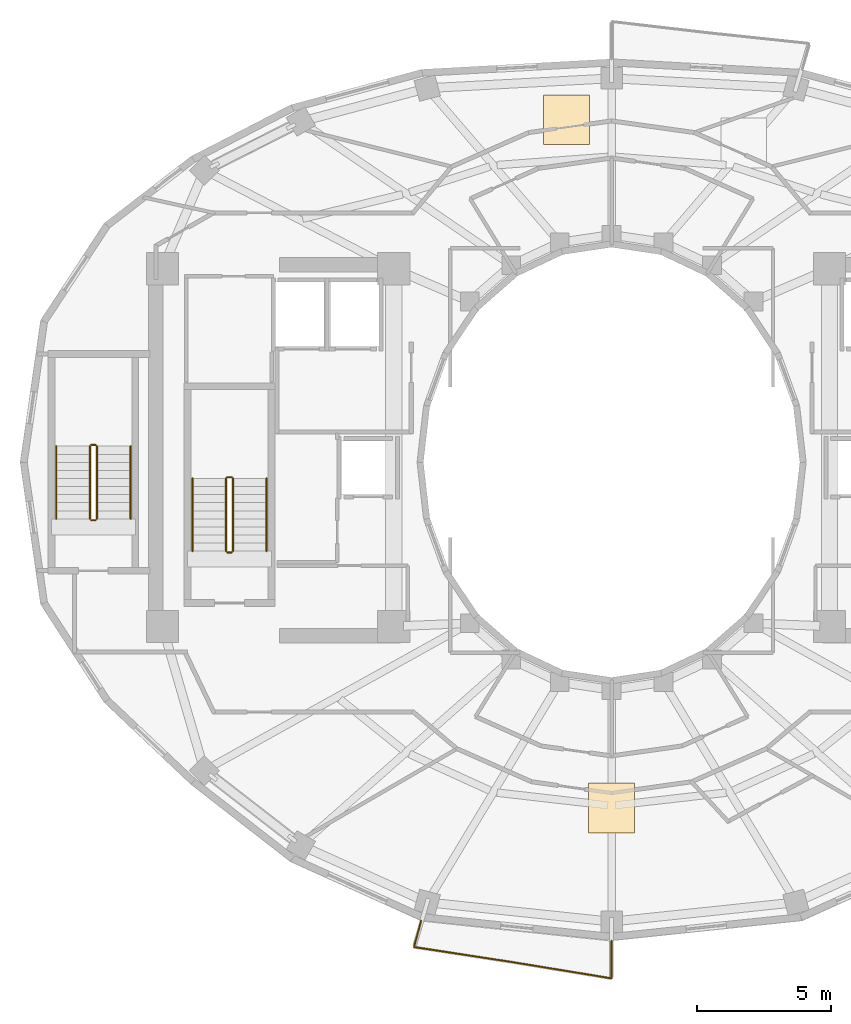
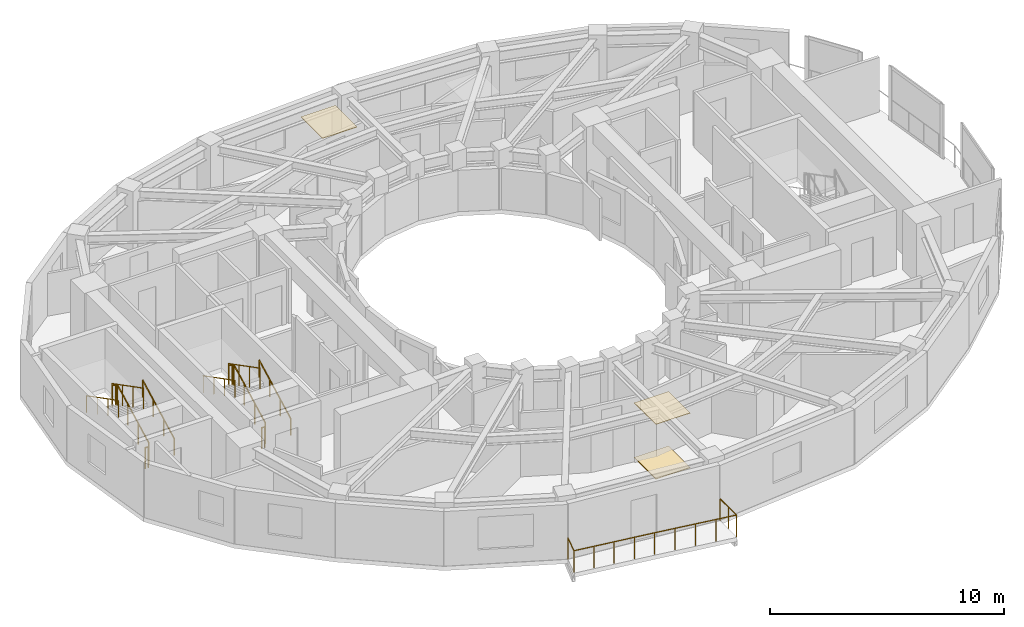
# One storey, part 11 of 12: 13 railings, 3 coverings.
"""IFC4 building model written with IfcOpenShell, lengths in metres."""

from ifc_helpers import new_model, si_unit, direction, frame, origin, origin_2d, place, context, subcontext, project, spatial, polyline, circle, outline, extrude, material, layer, layer_set, type_object, element, save


model = new_model("IFC4")

# Units and contexts
model_context = context("Model", 3, precision=1e-05, world=origin(), true_north=direction((0.0, 1.0)))
body_context = subcontext(model_context, "Body", "Model", "MODEL_VIEW")
ifc_project = project(units=[si_unit("LENGTHUNIT", "METRE"), si_unit("AREAUNIT", "SQUARE_METRE"), si_unit("VOLUMEUNIT", "CUBIC_METRE"), si_unit("PLANEANGLEUNIT", "RADIAN"), si_unit("MASSUNIT", "GRAM", prefix="KILO")], contexts=[model_context])

# Site, building, storey
site_placement = place(None, origin())
site = spatial("IfcSite", under=ifc_project, at=site_placement, CompositionType="ELEMENT")
building_placement = place(site_placement, origin())
building = spatial("IfcBuilding", under=site, at=building_placement, Name="Solvane Sanctuary Tower", CompositionType="ELEMENT")
storey_placement = place(building_placement, frame((0.0, 0.0, 214.0)))
storey = spatial("IfcBuildingStorey", under=building, at=storey_placement, Name="L65", CompositionType="ELEMENT", Elevation=214.0)

# Coverings
ifc_material_1 = material(Name="Acoustic Gypsum Partition Board")
ifc_layer_1 = layer(ifc_material_1, 0.02490234375, Name="Acoustic Gypsum Partition Board")
ifc_layer_set_1 = layer_set([ifc_layer_1], Name="Acoustic Gypsum Partition Board")
covering_type_1 = type_object("IfcCoveringType", Name="Covering CLG-ACOUST", PredefinedType="CEILING", material=ifc_layer_set_1)
covering_1_placement = place(storey_placement, frame((0.0, 0.0, 2.85009765625)))
element("IfcCovering", 1, at=covering_1_placement, inside=storey, type_object=covering_type_1, Name="L65 Unit Acoustic Ceiling Panel 2", PredefinedType="CEILING", context=body_context, shape_type="SweptSolid", body=[
    extrude(outline(polyline([(29.472900390625, 34.81494140625), (31.173095703125, 34.81494140625), (31.173095703125, 36.6650390625), (29.472900390625, 36.6650390625), (29.472900390625, 34.81494140625)])), origin(), (0.0, 0.0, 1.0), 0.02978515625),
])
covering_2_placement = place(storey_placement, frame((0.0, 0.0, 2.85009765625)))
element("IfcCovering", 2, at=covering_2_placement, inside=storey, type_object=covering_type_1, Name="L65 Unit Acoustic Ceiling Panel 3", PredefinedType="CEILING", context=body_context, shape_type="SweptSolid", body=[
    extrude(outline(polyline([(31.14990234375, 9.22509765625), (32.85009765625, 9.22509765625), (32.85009765625, 11.074951171875), (31.14990234375, 11.074951171875), (31.14990234375, 9.22509765625)])), origin(), (0.0, 0.0, 1.0), 0.02978515625),
])
ifc_material_2 = material(Name="Ceramic Tile Finish")
ifc_layer_2 = layer(ifc_material_2, 0.030029296875, Name="Ceramic Tile Finish")
ifc_layer_set_2 = layer_set([ifc_layer_2], Name="Ceramic Tile Finish")
covering_type_2 = type_object("IfcCoveringType", Name="Covering FLR-TERRAZZO", PredefinedType="FLOORING", material=ifc_layer_set_2)
covering_3_placement = place(storey_placement, origin())
element("IfcCovering", 3, at=covering_3_placement, inside=storey, type_object=covering_type_2, Name="L65 Unit Terrazzo Inlay 3", PredefinedType="FLOORING", context=body_context, shape_type="SweptSolid", body=[
    extrude(outline(polyline([(31.14990234375, 9.22509765625), (32.85009765625, 9.22509765625), (32.85009765625, 11.074951171875), (31.14990234375, 11.074951171875), (31.14990234375, 9.22509765625)])), origin(), (0.0, 0.0, 1.0), 0.034912109375),
])

# Railings
ifc_material_3 = material(Name="Architectural Stainless Steel 316", Category="steel")
railing_type_1 = type_object("IfcRailingType", Name="Railing GR-BALC-1150", PredefinedType="BALUSTRADE", material=ifc_material_3)
railing_1_placement = place(storey_placement, frame((24.911865234375, 5.942626953125, 0.0)))
element("IfcRailing", 4, at=railing_1_placement, inside=storey, type_object=railing_type_1, Name="L65 Wave Balcony Balustrade SC", PredefinedType="BALUSTRADE", context=body_context, shape_type="SweptSolid", body=[
    extrude(circle(Radius=0.02392578125, at=origin_2d()), frame((0.0, 0.0, 1.1259765625), z_axis=(-0.258695421716, -0.965958942597, 0.0), x_axis=(0.965958942597, -0.258695421716, 0.0)), (0.0, 0.0, 1.0), 1.000244140625),
    extrude(circle(Radius=0.02392578125, at=origin_2d()), frame((-0.2587890625, -0.96630859375, 1.1259765625), z_axis=(0.988437321797, -0.15163001312, 0.0), x_axis=(0.15163001312, 0.988437321797, 0.0)), (0.0, 0.0, 1.0), 3.693603515625),
    extrude(circle(Radius=0.02392578125, at=origin_2d()), frame((3.39208984375, -1.5263671875, 1.1259765625), z_axis=(0.986815208881, -0.16185099172, 0.0), x_axis=(0.16185099172, 0.986815208881, 0.0)), (0.0, 0.0, 1.0), 3.745361328125),
    extrude(circle(Radius=0.02392578125, at=origin_2d()), frame((7.088134765625, -2.132568359375, 1.1259765625), z_axis=(0.0, 1.0, 0.0), x_axis=(-1.0, 0.0, 0.0)), (0.0, 0.0, 1.0), 1.389892578125),
    extrude(circle(Radius=0.02099609375, at=origin_2d()), origin(), (0.0, 0.0, 1.0), 1.101806640625),
    extrude(circle(Radius=0.02099609375, at=origin_2d()), frame((-0.2587890625, -0.96630859375, 0.0)), (0.0, 0.0, 1.0), 1.101806640625),
    extrude(circle(Radius=0.02099609375, at=origin_2d()), frame((0.65380859375, -1.1064453125, 0.0)), (0.0, 0.0, 1.0), 1.101806640625),
    extrude(circle(Radius=0.02099609375, at=origin_2d()), frame((1.566650390625, -1.246337890625, 0.0)), (0.0, 0.0, 1.0), 1.101806640625),
    extrude(circle(Radius=0.02099609375, at=origin_2d()), frame((2.4794921875, -1.38623046875, 0.0)), (0.0, 0.0, 1.0), 1.101806640625),
    extrude(circle(Radius=0.02099609375, at=origin_2d()), frame((3.39208984375, -1.5263671875, 0.0)), (0.0, 0.0, 1.0), 1.101806640625),
    extrude(circle(Radius=0.02099609375, at=origin_2d()), frame((4.316162109375, -1.677978515625, 0.0)), (0.0, 0.0, 1.0), 1.101806640625),
    extrude(circle(Radius=0.02099609375, at=origin_2d()), frame((5.240234375, -1.82958984375, 0.0)), (0.0, 0.0, 1.0), 1.101806640625),
    extrude(circle(Radius=0.02099609375, at=origin_2d()), frame((6.1640625, -1.98095703125, 0.0)), (0.0, 0.0, 1.0), 1.101806640625),
    extrude(circle(Radius=0.02099609375, at=origin_2d()), frame((7.088134765625, -2.132568359375, 0.0)), (0.0, 0.0, 1.0), 1.101806640625),
    extrude(circle(Radius=0.02099609375, at=origin_2d()), frame((7.088134765625, -1.4375, 0.0)), (0.0, 0.0, 1.0), 1.101806640625),
    extrude(circle(Radius=0.02099609375, at=origin_2d()), frame((7.088134765625, -0.74267578125, 0.0)), (0.0, 0.0, 1.0), 1.101806640625),
])
railing_2_placement = place(storey_placement, frame((17.919921875, 19.699951171875, 0.155029296875)))
element("IfcRailing", 5, at=railing_2_placement, inside=storey, type_object=railing_type_1, Name="L65 ST-1 stair guard 1", PredefinedType="BALUSTRADE", context=body_context, shape_type="SweptSolid", body=[
    extrude(circle(Radius=0.02392578125, at=origin_2d()), frame((0.0, 0.0, 1.076171875), z_axis=(0.0, 0.888419900624, 0.459031676658), x_axis=(-1.0, 0.0, 0.0)), (0.0, 0.0, 1.0), 3.0390625),
    extrude(circle(Radius=0.02099609375, at=origin_2d()), origin(), (0.0, 0.0, 1.0), 1.052001953125),
    extrude(circle(Radius=0.02099609375, at=origin_2d()), frame((0.0, 0.89990234375, 0.465087890625)), (0.0, 0.0, 1.0), 1.052001953125),
    extrude(circle(Radius=0.02099609375, at=origin_2d()), frame((0.0, 1.800048828125, 0.929931640625)), (0.0, 0.0, 1.0), 1.052001953125),
    extrude(circle(Radius=0.02099609375, at=origin_2d()), frame((0.0, 2.699951171875, 1.39501953125)), (0.0, 0.0, 1.0), 1.052001953125),
])
railing_3_placement = place(storey_placement, frame((17.8701171875, 22.449951171875, 1.550048828125)))
element("IfcRailing", 6, at=railing_3_placement, inside=storey, type_object=railing_type_1, Name="L65 ST-1 stair guard 2", PredefinedType="BALUSTRADE", context=body_context, shape_type="SweptSolid", body=[
    extrude(circle(Radius=0.02392578125, at=origin_2d()), frame((0.0, 0.0, 1.076171875), z_axis=(-1.0, 0.0, 0.0), x_axis=(0.0, -1.0, 0.0)), (0.0, 0.0, 1.0), 0.16015625),
    extrude(circle(Radius=0.02099609375, at=origin_2d()), origin(), (0.0, 0.0, 1.0), 1.052001953125),
    extrude(circle(Radius=0.02099609375, at=origin_2d()), frame((-0.16015625, 0.0, 0.0)), (0.0, 0.0, 1.0), 1.052001953125),
])
railing_4_placement = place(storey_placement, frame((17.659912109375, 22.39990234375, 1.705078125)))
element("IfcRailing", 7, at=railing_4_placement, inside=storey, type_object=railing_type_1, Name="L65 ST-1 stair guard 3", PredefinedType="BALUSTRADE", context=body_context, shape_type="SweptSolid", body=[
    extrude(circle(Radius=0.02392578125, at=origin_2d()), frame((0.0, 0.0, 1.076171875), z_axis=(0.0, -0.888419900624, 0.459031676658), x_axis=(1.0, 0.0, 0.0)), (0.0, 0.0, 1.0), 3.0390625),
    extrude(circle(Radius=0.02099609375, at=origin_2d()), origin(), (0.0, 0.0, 1.0), 1.052001953125),
    extrude(circle(Radius=0.02099609375, at=origin_2d()), frame((0.0, -0.89990234375, 0.465087890625)), (0.0, 0.0, 1.0), 1.052001953125),
    extrude(circle(Radius=0.02099609375, at=origin_2d()), frame((0.0, -1.800048828125, 0.929931640625)), (0.0, 0.0, 1.0), 1.052001953125),
    extrude(circle(Radius=0.02099609375, at=origin_2d()), frame((0.0, -2.699951171875, 1.39501953125)), (0.0, 0.0, 1.0), 1.052001953125),
])
railing_5_placement = place(storey_placement, frame((17.8701171875, 19.64990234375, 0.0)))
element("IfcRailing", 8, at=railing_5_placement, inside=storey, type_object=railing_type_1, Name="L65 ST-1 stair guard 4", PredefinedType="BALUSTRADE", context=body_context, shape_type="SweptSolid", body=[
    extrude(circle(Radius=0.02392578125, at=origin_2d()), frame((0.0, 0.0, 1.076171875), z_axis=(-1.0, 0.0, 0.0), x_axis=(0.0, -1.0, 0.0)), (0.0, 0.0, 1.0), 0.16015625),
    extrude(circle(Radius=0.02099609375, at=origin_2d()), origin(), (0.0, 0.0, 1.0), 1.052001953125),
    extrude(circle(Radius=0.02099609375, at=origin_2d()), frame((-0.16015625, 0.0, 0.0)), (0.0, 0.0, 1.0), 1.052001953125),
])
railing_6_placement = place(storey_placement, frame((12.860107421875, 20.89990234375, 0.155029296875)))
element("IfcRailing", 9, at=railing_6_placement, inside=storey, type_object=railing_type_1, Name="L65 ST-3 stair guard 1", PredefinedType="BALUSTRADE", context=body_context, shape_type="SweptSolid", body=[
    extrude(circle(Radius=0.02392578125, at=origin_2d()), frame((0.0, 0.0, 1.076171875), z_axis=(0.0, 0.888436826113, 0.458998917216), x_axis=(-1.0, 0.0, 0.0)), (0.0, 0.0, 1.0), 3.039306640625),
    extrude(circle(Radius=0.02099609375, at=origin_2d()), origin(), (0.0, 0.0, 1.0), 1.052001953125),
    extrude(circle(Radius=0.02099609375, at=origin_2d()), frame((0.0, 0.900146484375, 0.465087890625)), (0.0, 0.0, 1.0), 1.052001953125),
    extrude(circle(Radius=0.02099609375, at=origin_2d()), frame((0.0, 1.800048828125, 0.929931640625)), (0.0, 0.0, 1.0), 1.052001953125),
    extrude(circle(Radius=0.02099609375, at=origin_2d()), frame((0.0, 2.7001953125, 1.39501953125)), (0.0, 0.0, 1.0), 1.052001953125),
])
railing_7_placement = place(storey_placement, frame((12.81005859375, 23.64990234375, 1.550048828125)))
element("IfcRailing", 10, at=railing_7_placement, inside=storey, type_object=railing_type_1, Name="L65 ST-3 stair guard 2", PredefinedType="BALUSTRADE", context=body_context, shape_type="SweptSolid", body=[
    extrude(circle(Radius=0.02392578125, at=origin_2d()), frame((0.0, 0.0, 1.076171875), z_axis=(-1.0, 0.0, 0.0), x_axis=(0.0, -1.0, 0.0)), (0.0, 0.0, 1.0), 0.16015625),
    extrude(circle(Radius=0.02099609375, at=origin_2d()), origin(), (0.0, 0.0, 1.0), 1.052001953125),
    extrude(circle(Radius=0.02099609375, at=origin_2d()), frame((-0.16015625, 0.0, 0.0)), (0.0, 0.0, 1.0), 1.052001953125),
])
railing_8_placement = place(storey_placement, frame((12.60009765625, 23.60009765625, 1.705078125)))
element("IfcRailing", 11, at=railing_8_placement, inside=storey, type_object=railing_type_1, Name="L65 ST-3 stair guard 3", PredefinedType="BALUSTRADE", context=body_context, shape_type="SweptSolid", body=[
    extrude(circle(Radius=0.02392578125, at=origin_2d()), frame((0.0, 0.0, 1.076171875), z_axis=(0.0, -0.888436826113, 0.458998917216), x_axis=(1.0, 0.0, 0.0)), (0.0, 0.0, 1.0), 3.039306640625),
    extrude(circle(Radius=0.02099609375, at=origin_2d()), origin(), (0.0, 0.0, 1.0), 1.052001953125),
    extrude(circle(Radius=0.02099609375, at=origin_2d()), frame((0.0, -0.900146484375, 0.465087890625)), (0.0, 0.0, 1.0), 1.052001953125),
    extrude(circle(Radius=0.02099609375, at=origin_2d()), frame((0.0, -1.800048828125, 0.929931640625)), (0.0, 0.0, 1.0), 1.052001953125),
    extrude(circle(Radius=0.02099609375, at=origin_2d()), frame((0.0, -2.7001953125, 1.39501953125)), (0.0, 0.0, 1.0), 1.052001953125),
])
railing_9_placement = place(storey_placement, frame((12.81005859375, 20.85009765625, 0.0)))
element("IfcRailing", 12, at=railing_9_placement, inside=storey, type_object=railing_type_1, Name="L65 ST-3 stair guard 4", PredefinedType="BALUSTRADE", context=body_context, shape_type="SweptSolid", body=[
    extrude(circle(Radius=0.02392578125, at=origin_2d()), frame((0.0, 0.0, 1.076171875), z_axis=(-1.0, 0.0, 0.0), x_axis=(0.0, -1.0, 0.0)), (0.0, 0.0, 1.0), 0.16015625),
    extrude(circle(Radius=0.02099609375, at=origin_2d()), origin(), (0.0, 0.0, 1.0), 1.052001953125),
    extrude(circle(Radius=0.02099609375, at=origin_2d()), frame((-0.16015625, 0.0, 0.0)), (0.0, 0.0, 1.0), 1.052001953125),
])
railing_type_2 = type_object("IfcRailingType", Name="Railing HR-STAIR-920", PredefinedType="HANDRAIL", material=ifc_material_3)
railing_10_placement = place(storey_placement, frame((19.169921875, 19.699951171875, 0.155029296875)))
element("IfcRailing", 13, at=railing_10_placement, inside=storey, type_object=railing_type_2, Name="L65 ST-1 stair handrail 1", PredefinedType="HANDRAIL", context=body_context, shape_type="SweptSolid", body=[
    extrude(circle(Radius=0.02392578125, at=origin_2d()), frame((0.0, 0.0, 0.8759765625), z_axis=(0.0, 0.888419900624, 0.459031676658), x_axis=(-1.0, 0.0, 0.0)), (0.0, 0.0, 1.0), 3.0390625),
    extrude(circle(Radius=0.02099609375, at=origin_2d()), origin(), (0.0, 0.0, 1.0), 0.851806640625),
    extrude(circle(Radius=0.02099609375, at=origin_2d()), frame((0.0, 0.89990234375, 0.465087890625)), (0.0, 0.0, 1.0), 0.851806640625),
    extrude(circle(Radius=0.02099609375, at=origin_2d()), frame((0.0, 1.800048828125, 0.929931640625)), (0.0, 0.0, 1.0), 0.851806640625),
    extrude(circle(Radius=0.02099609375, at=origin_2d()), frame((0.0, 2.699951171875, 1.39501953125)), (0.0, 0.0, 1.0), 0.851806640625),
])
railing_11_placement = place(storey_placement, frame((16.409912109375, 22.39990234375, 1.705078125)))
element("IfcRailing", 14, at=railing_11_placement, inside=storey, type_object=railing_type_2, Name="L65 ST-1 stair handrail 2", PredefinedType="HANDRAIL", context=body_context, shape_type="SweptSolid", body=[
    extrude(circle(Radius=0.02392578125, at=origin_2d()), frame((0.0, 0.0, 0.8759765625), z_axis=(0.0, -0.888419900624, 0.459031676658), x_axis=(1.0, 0.0, 0.0)), (0.0, 0.0, 1.0), 3.0390625),
    extrude(circle(Radius=0.02099609375, at=origin_2d()), origin(), (0.0, 0.0, 1.0), 0.851806640625),
    extrude(circle(Radius=0.02099609375, at=origin_2d()), frame((0.0, -0.89990234375, 0.465087890625)), (0.0, 0.0, 1.0), 0.851806640625),
    extrude(circle(Radius=0.02099609375, at=origin_2d()), frame((0.0, -1.800048828125, 0.929931640625)), (0.0, 0.0, 1.0), 0.851806640625),
    extrude(circle(Radius=0.02099609375, at=origin_2d()), frame((0.0, -2.699951171875, 1.39501953125)), (0.0, 0.0, 1.0), 0.851806640625),
])
railing_12_placement = place(storey_placement, frame((14.110107421875, 20.89990234375, 0.155029296875)))
element("IfcRailing", 15, at=railing_12_placement, inside=storey, type_object=railing_type_2, Name="L65 ST-3 stair handrail 1", PredefinedType="HANDRAIL", context=body_context, shape_type="SweptSolid", body=[
    extrude(circle(Radius=0.02392578125, at=origin_2d()), frame((0.0, 0.0, 0.8759765625), z_axis=(0.0, 0.888436826113, 0.458998917216), x_axis=(-1.0, 0.0, 0.0)), (0.0, 0.0, 1.0), 3.039306640625),
    extrude(circle(Radius=0.02099609375, at=origin_2d()), origin(), (0.0, 0.0, 1.0), 0.851806640625),
    extrude(circle(Radius=0.02099609375, at=origin_2d()), frame((0.0, 0.900146484375, 0.465087890625)), (0.0, 0.0, 1.0), 0.851806640625),
    extrude(circle(Radius=0.02099609375, at=origin_2d()), frame((0.0, 1.800048828125, 0.929931640625)), (0.0, 0.0, 1.0), 0.851806640625),
    extrude(circle(Radius=0.02099609375, at=origin_2d()), frame((0.0, 2.7001953125, 1.39501953125)), (0.0, 0.0, 1.0), 0.851806640625),
])
railing_13_placement = place(storey_placement, frame((11.35009765625, 23.60009765625, 1.705078125)))
element("IfcRailing", 16, at=railing_13_placement, inside=storey, type_object=railing_type_2, Name="L65 ST-3 stair handrail 2", PredefinedType="HANDRAIL", context=body_context, shape_type="SweptSolid", body=[
    extrude(circle(Radius=0.02392578125, at=origin_2d()), frame((0.0, 0.0, 0.8759765625), z_axis=(0.0, -0.888436826113, 0.458998917216), x_axis=(1.0, 0.0, 0.0)), (0.0, 0.0, 1.0), 3.039306640625),
    extrude(circle(Radius=0.02099609375, at=origin_2d()), origin(), (0.0, 0.0, 1.0), 0.851806640625),
    extrude(circle(Radius=0.02099609375, at=origin_2d()), frame((0.0, -0.900146484375, 0.465087890625)), (0.0, 0.0, 1.0), 0.851806640625),
    extrude(circle(Radius=0.02099609375, at=origin_2d()), frame((0.0, -1.800048828125, 0.929931640625)), (0.0, 0.0, 1.0), 0.851806640625),
    extrude(circle(Radius=0.02099609375, at=origin_2d()), frame((0.0, -2.7001953125, 1.39501953125)), (0.0, 0.0, 1.0), 0.851806640625),
])

save(model, "model.ifc")
